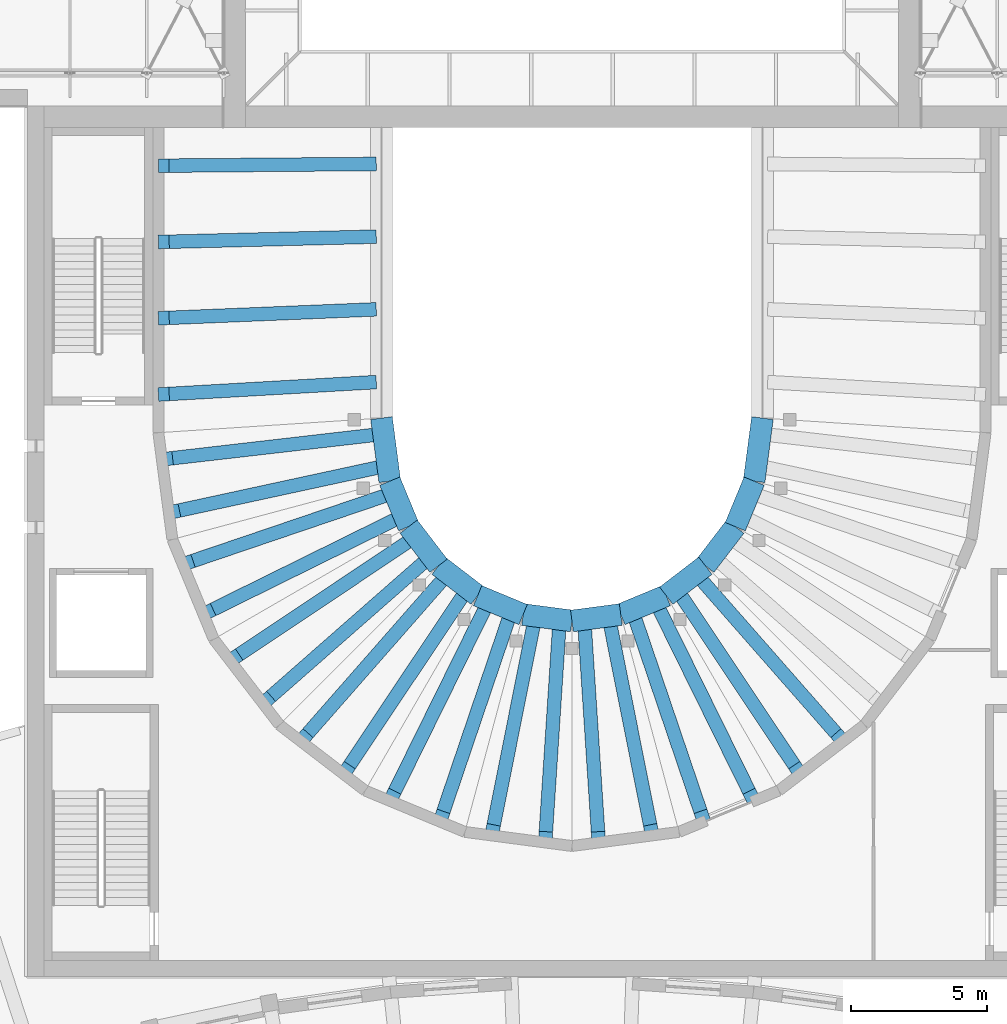
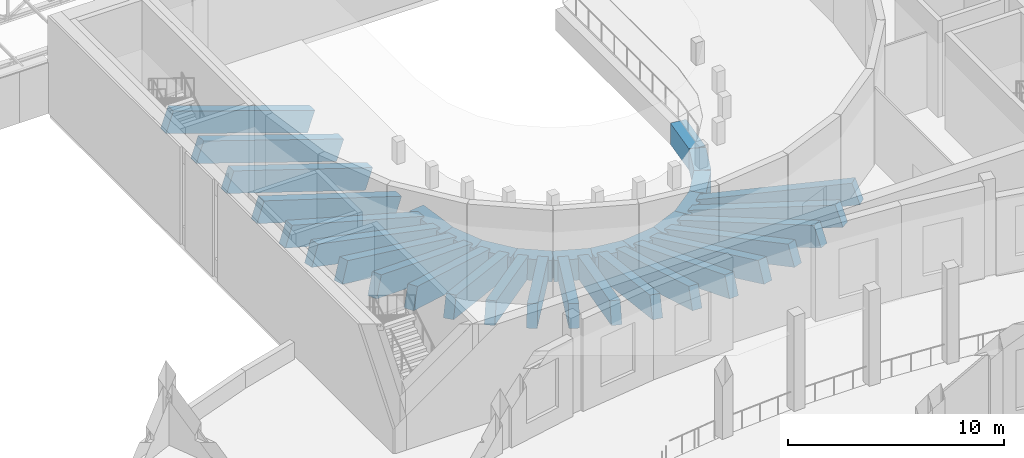
# One storey, part 30 of 132: 34 beams.
"""IFC4 building model written with IfcOpenShell, lengths in metres."""

from ifc_helpers import new_model, si_unit, direction, frame, origin, origin_2d, place, context, subcontext, project, spatial, rectangle, extrude, material, material_profile, profile_set, type_object, element, save


model = new_model("IFC4")

# Units and contexts
model_context = context("Model", 3, precision=1e-05, world=origin(), true_north=direction((0.0, 1.0)))
body_context = subcontext(model_context, "Body", "Model", "MODEL_VIEW")
ifc_project = project(units=[si_unit("LENGTHUNIT", "METRE"), si_unit("AREAUNIT", "SQUARE_METRE"), si_unit("VOLUMEUNIT", "CUBIC_METRE"), si_unit("PLANEANGLEUNIT", "RADIAN"), si_unit("MASSUNIT", "GRAM", prefix="KILO")], contexts=[model_context])

# Site, building, storey
site_placement = place(None, origin())
site = spatial("IfcSite", under=ifc_project, at=site_placement, CompositionType="ELEMENT")
building_placement = place(site_placement, origin())
building = spatial("IfcBuilding", under=site, at=building_placement, Name="Lunette Opera House", CompositionType="ELEMENT")
storey_placement = place(building_placement, frame((0.0, 0.0, 17.0)))
storey = spatial("IfcBuildingStorey", under=building, at=storey_placement, Name="L03", CompositionType="ELEMENT", Elevation=17.0)

# Beams
ifc_material_1 = material(Name="Concrete C35/45", Category="concrete")
ifc_material_profile_1 = material_profile(ifc_material_1, rectangle(XDim=0.5, YDim=1.199951171875, at=origin_2d()), Name="RAKER BEAM 500X1200")
ifc_profile_set_1 = profile_set([ifc_material_profile_1], Name="Concrete C35/45")
beam_type_1 = type_object("IfcBeamType", Name="RAKER BEAM 500X1200", PredefinedType="BEAM", material=ifc_profile_set_1)
beam_1_placement = place(storey_placement, frame((81.0, 93.800048828125, -0.8359375), z_axis=(0.943847905495, 0.007691038722, -0.330290749515), x_axis=(-0.008148329141, 0.999966801815, 0.0)))
element("IfcBeam", 1, at=beam_1_placement, inside=storey, type_object=beam_type_1, Name="beam-AU-L03-RKT2-01-1", PredefinedType="BEAM", context=body_context, shape_type="SweptSolid", body=[
    extrude(rectangle(XDim=0.5, YDim=1.199951171875, at=origin_2d()), origin(), (0.0, 0.0, 1.0), 8.062744140625),
])
beam_2_placement = place(storey_placement, frame((81.0, 91.0, -0.8359375), z_axis=(0.943622019769, 0.023188683942, -0.330211702918), x_axis=(-0.024566706739, 0.999698192916, 0.0)))
element("IfcBeam", 2, at=beam_2_placement, inside=storey, type_object=beam_type_1, Name="beam-AU-L03-RKT2-01-2", PredefinedType="BEAM", context=body_context, shape_type="SweptSolid", body=[
    extrude(rectangle(XDim=0.5, YDim=1.199951171875, at=origin_2d()), origin(), (0.0, 0.0, 1.0), 8.064697265625),
])
beam_3_placement = place(storey_placement, frame((81.0, 88.199951171875, -0.8359375), z_axis=(0.943169850193, 0.038669631021, -0.330053470402), x_axis=(-0.040965230881, 0.99916057261, 0.0)))
element("IfcBeam", 3, at=beam_3_placement, inside=storey, type_object=beam_type_1, Name="beam-AU-L03-RKT2-01-3", PredefinedType="BEAM", context=body_context, shape_type="SweptSolid", body=[
    extrude(rectangle(XDim=0.5, YDim=1.199951171875, at=origin_2d()), origin(), (0.0, 0.0, 1.0), 8.068603515625),
])
beam_4_placement = place(storey_placement, frame((81.0, 85.39990234375, -0.8359375), z_axis=(0.94251204128, 0.053996038676, -0.329780957379), x_axis=(-0.057195711049, 0.99836298541, 0.0)))
element("IfcBeam", 4, at=beam_4_placement, inside=storey, type_object=beam_type_1, Name="beam-AU-L03-RKT2-01-4", PredefinedType="BEAM", context=body_context, shape_type="SweptSolid", body=[
    extrude(rectangle(XDim=0.5, YDim=1.199951171875, at=origin_2d()), origin(), (0.0, 0.0, 1.0), 8.075439453125),
])
beam_5_placement = place(storey_placement, frame((81.1279296875, 83.029052734375, -0.8359375), z_axis=(0.937689203722, 0.107999269928, -0.330265219057), x_axis=(-0.114419560388, 0.993432516178, 0.0)))
element("IfcBeam", 5, at=beam_5_placement, inside=storey, type_object=beam_type_1, Name="beam-AU-L03-RKT2-02-1", PredefinedType="BEAM", context=body_context, shape_type="SweptSolid", body=[
    extrude(rectangle(XDim=0.5, YDim=1.199951171875, at=origin_2d()), origin(), (0.0, 0.0, 1.0), 8.0634765625),
])
beam_6_placement = place(storey_placement, frame((81.383056640625, 81.087890625, -0.8349609375), z_axis=(0.922857266252, 0.199656620103, -0.329350421551), x_axis=(-0.211454118377, 0.977387924942, 0.0)))
element("IfcBeam", 6, at=beam_6_placement, inside=storey, type_object=beam_type_1, Name="beam-AU-L03-RKT2-02-2", PredefinedType="BEAM", context=body_context, shape_type="SweptSolid", body=[
    extrude(rectangle(XDim=0.5, YDim=1.199951171875, at=origin_2d()), origin(), (0.0, 0.0, 1.0), 8.0888671875),
])
beam_7_placement = place(storey_placement, frame((81.885986328125, 79.212890625, -0.8359375), z_axis=(0.894064559344, 0.303289907642, -0.329641920342), x_axis=(-0.321245598019, 0.94699591644, 0.0)))
element("IfcBeam", 7, at=beam_7_placement, inside=storey, type_object=beam_type_1, Name="beam-AU-L03-RKT2-03-1", PredefinedType="BEAM", context=body_context, shape_type="SweptSolid", body=[
    extrude(rectangle(XDim=0.5, YDim=1.199951171875, at=origin_2d()), origin(), (0.0, 0.0, 1.0), 8.07861328125),
])
beam_8_placement = place(storey_placement, frame((82.635009765625, 77.404052734375, -0.8359375), z_axis=(0.846612662052, 0.417852014522, -0.329615980214), x_axis=(-0.442585886382, 0.896726119378, 0.0)))
element("IfcBeam", 8, at=beam_8_placement, inside=storey, type_object=beam_type_1, Name="beam-AU-L03-RKT2-03-2", PredefinedType="BEAM", context=body_context, shape_type="SweptSolid", body=[
    extrude(rectangle(XDim=0.5, YDim=1.199951171875, at=origin_2d()), origin(), (0.0, 0.0, 1.0), 8.079345703125),
])
beam_9_placement = place(storey_placement, frame((83.60595703125, 75.722900390625, -0.8359375), z_axis=(0.785123704492, 0.524332450508, -0.329630474909), x_axis=(-0.555372184888, 0.831601909722, 0.0)))
element("IfcBeam", 9, at=beam_9_placement, inside=storey, type_object=beam_type_1, Name="beam-AU-L03-RKT2-04-1", PredefinedType="BEAM", context=body_context, shape_type="SweptSolid", body=[
    extrude(rectangle(XDim=0.5, YDim=1.199951171875, at=origin_2d()), origin(), (0.0, 0.0, 1.0), 8.0791015625),
])
for number, where, z_axis, x_axis, name in (
    (10, (84.797119140625, 74.169921875, -0.8359375), (0.709671493581, 0.622677359628, -0.329604728433), (-0.659532693191, 0.751675878695, 0.0), "beam-AU-L03-RKT2-04-2"),
    (11, (86.169921875, 72.797119140625, -0.8359375), (0.622677359628, 0.709671493581, -0.329604728433), (-0.751675878695, 0.659532693191, 0.0), "beam-AU-L03-RKT2-05-1"),
):
    element("IfcBeam", number, at=place(storey_placement, frame(where, z_axis=z_axis, x_axis=x_axis)), inside=storey, type_object=beam_type_1, Name=name, PredefinedType="BEAM", context=body_context, shape_type="SweptSolid", body=[
        extrude(rectangle(XDim=0.5, YDim=1.199951171875, at=origin_2d()), origin(), (0.0, 0.0, 1.0), 8.07958984375),
    ])
beam_10_placement = place(storey_placement, frame((87.722900390625, 71.60595703125, -0.8359375), z_axis=(0.524332450508, 0.785123704492, -0.329630474909), x_axis=(-0.831601909722, 0.555372184888, 0.0)))
element("IfcBeam", 12, at=beam_10_placement, inside=storey, type_object=beam_type_1, Name="beam-AU-L03-RKT2-05-2", PredefinedType="BEAM", context=body_context, shape_type="SweptSolid", body=[
    extrude(rectangle(XDim=0.5, YDim=1.199951171875, at=origin_2d()), origin(), (0.0, 0.0, 1.0), 8.0791015625),
])
beam_11_placement = place(storey_placement, frame((89.404052734375, 70.635009765625, -0.8359375), z_axis=(0.417852014522, 0.846612662052, -0.329615980214), x_axis=(-0.896726119378, 0.442585886382, 0.0)))
element("IfcBeam", 13, at=beam_11_placement, inside=storey, type_object=beam_type_1, Name="beam-AU-L03-RKT2-06-1", PredefinedType="BEAM", context=body_context, shape_type="SweptSolid", body=[
    extrude(rectangle(XDim=0.5, YDim=1.199951171875, at=origin_2d()), origin(), (0.0, 0.0, 1.0), 8.079345703125),
])
beam_12_placement = place(storey_placement, frame((91.212890625, 69.885986328125, -0.8359375), z_axis=(0.303289907642, 0.894064559344, -0.329641920342), x_axis=(-0.94699591644, 0.321245598019, 0.0)))
element("IfcBeam", 14, at=beam_12_placement, inside=storey, type_object=beam_type_1, Name="beam-AU-L03-RKT2-06-2", PredefinedType="BEAM", context=body_context, shape_type="SweptSolid", body=[
    extrude(rectangle(XDim=0.5, YDim=1.199951171875, at=origin_2d()), origin(), (0.0, 0.0, 1.0), 8.07861328125),
])
beam_13_placement = place(storey_placement, frame((93.087890625, 69.383056640625, -0.8359375), z_axis=(0.18441826912, 0.925928986132, -0.329614038924), x_axis=(-0.98073670253, 0.19533438077, 0.0)))
element("IfcBeam", 15, at=beam_13_placement, inside=storey, type_object=beam_type_1, Name="beam-AU-L03-RKT2-07-1", PredefinedType="BEAM", context=body_context, shape_type="SweptSolid", body=[
    extrude(rectangle(XDim=0.5, YDim=1.199951171875, at=origin_2d()), origin(), (0.0, 0.0, 1.0), 8.079345703125),
])
for number, where, z_axis, x_axis, name in (
    (16, (95.029052734375, 69.1279296875, -0.8359375), (0.061497307518, 0.942102487403, -0.329637656218), (-0.997876263164, 0.065138033538, 0.0), "beam-AU-L03-RKT2-07-2"),
    (17, (96.970947265625, 69.1279296875, -0.8359375), (-0.061497307518, 0.942102487403, -0.329637656218), (-0.997876263164, -0.065138033538, 0.0), "beam-AU-L03-RKT2-08-1"),
):
    element("IfcBeam", number, at=place(storey_placement, frame(where, z_axis=z_axis, x_axis=x_axis)), inside=storey, type_object=beam_type_1, Name=name, PredefinedType="BEAM", context=body_context, shape_type="SweptSolid", body=[
        extrude(rectangle(XDim=0.5, YDim=1.199951171875, at=origin_2d()), origin(), (0.0, 0.0, 1.0), 8.078857421875),
    ])
beam_14_placement = place(storey_placement, frame((98.912109375, 69.383056640625, -0.8359375), z_axis=(-0.18441826912, 0.925928986132, -0.329614038924), x_axis=(-0.98073670253, -0.19533438077, 0.0)))
element("IfcBeam", 18, at=beam_14_placement, inside=storey, type_object=beam_type_1, Name="beam-AU-L03-RKT2-08-2", PredefinedType="BEAM", context=body_context, shape_type="SweptSolid", body=[
    extrude(rectangle(XDim=0.5, YDim=1.199951171875, at=origin_2d()), origin(), (0.0, 0.0, 1.0), 8.079345703125),
])
beam_15_placement = place(storey_placement, frame((100.787109375, 69.885986328125, -0.8359375), z_axis=(-0.303289907642, 0.894064559344, -0.329641920342), x_axis=(-0.94699591644, -0.321245598019, 0.0)))
element("IfcBeam", 19, at=beam_15_placement, inside=storey, type_object=beam_type_1, Name="beam-AU-L03-RKT2-09-1", PredefinedType="BEAM", context=body_context, shape_type="SweptSolid", body=[
    extrude(rectangle(XDim=0.5, YDim=1.199951171875, at=origin_2d()), origin(), (0.0, 0.0, 1.0), 8.07861328125),
])
beam_16_placement = place(storey_placement, frame((102.595947265625, 70.635009765625, -0.8359375), z_axis=(-0.417852014522, 0.846612662052, -0.329615980214), x_axis=(-0.896726119378, -0.442585886382, 0.0)))
element("IfcBeam", 20, at=beam_16_placement, inside=storey, type_object=beam_type_1, Name="beam-AU-L03-RKT2-09-2", PredefinedType="BEAM", context=body_context, shape_type="SweptSolid", body=[
    extrude(rectangle(XDim=0.5, YDim=1.199951171875, at=origin_2d()), origin(), (0.0, 0.0, 1.0), 8.079345703125),
])
beam_17_placement = place(storey_placement, frame((104.277099609375, 71.60595703125, -0.8359375), z_axis=(-0.524332450508, 0.785123704492, -0.329630474909), x_axis=(-0.831601909722, -0.555372184888, 0.0)))
element("IfcBeam", 21, at=beam_17_placement, inside=storey, type_object=beam_type_1, Name="beam-AU-L03-RKT2-10-1", PredefinedType="BEAM", context=body_context, shape_type="SweptSolid", body=[
    extrude(rectangle(XDim=0.5, YDim=1.199951171875, at=origin_2d()), origin(), (0.0, 0.0, 1.0), 8.0791015625),
])
beam_18_placement = place(storey_placement, frame((105.830078125, 72.797119140625, -0.8359375), z_axis=(-0.622677359628, 0.709671493581, -0.329604728433), x_axis=(-0.751675878695, -0.659532693191, 0.0)))
element("IfcBeam", 22, at=beam_18_placement, inside=storey, type_object=beam_type_1, Name="beam-AU-L03-RKT2-10-2", PredefinedType="BEAM", context=body_context, shape_type="SweptSolid", body=[
    extrude(rectangle(XDim=0.5, YDim=1.199951171875, at=origin_2d()), origin(), (0.0, 0.0, 1.0), 8.07958984375),
])
ifc_material_2 = material(Name="Concrete C40/50", Category="concrete")
ifc_material_profile_2 = material_profile(ifc_material_2, rectangle(XDim=0.800048828125, YDim=1.199951171875, at=origin_2d()), Name="TIER GIRDER 800X1200")
ifc_profile_set_2 = profile_set([ifc_material_profile_2], Name="Concrete C40/50")
beam_type_2 = type_object("IfcBeamType", Name="TIER GIRDER 800X1200", PredefinedType="BEAM", material=ifc_profile_set_2)
beam_19_placement = place(storey_placement, frame((89.0, 84.52392578125, -3.60009765625), z_axis=(0.130432901459, -0.99145713887, 0.0), x_axis=(0.99145713887, 0.130432901459, 0.0)))
element("IfcBeam", 23, at=beam_19_placement, inside=storey, type_object=beam_type_2, Name="beam-AU-L03-TGL03-2", PredefinedType="BEAM", context=body_context, shape_type="SweptSolid", body=[
    extrude(rectangle(XDim=0.800048828125, YDim=1.199951171875, at=origin_2d()), origin(), (0.0, 0.0, 1.0), 2.337890625),
])
beam_20_placement = place(storey_placement, frame((89.304931640625, 82.2060546875, -3.60009765625), z_axis=(0.383110510067, -0.923702515465, 0.0), x_axis=(0.923702515465, 0.383110510067, 0.0)))
element("IfcBeam", 24, at=beam_20_placement, inside=storey, type_object=beam_type_2, Name="beam-AU-L03-TGL03-3", PredefinedType="BEAM", context=body_context, shape_type="SweptSolid", body=[
    extrude(rectangle(XDim=0.800048828125, YDim=1.199951171875, at=origin_2d()), origin(), (0.0, 0.0, 1.0), 1.80908203125),
])
for number, where, z_axis, x_axis, name in (
    (25, (89.998046875, 80.534912109375, -3.60009765625), (0.608536347871, -0.793526000406, 0.0), (0.793526000406, 0.608536347871, 0.0), "beam-AU-L03-TGL03-4"),
    (26, (91.09912109375, 79.09912109375, -3.60009765625), (0.793526000406, -0.608536347871, 0.0), (0.608536347871, 0.793526000406, 0.0), "beam-AU-L03-TGL03-5"),
):
    element("IfcBeam", number, at=place(storey_placement, frame(where, z_axis=z_axis, x_axis=x_axis)), inside=storey, type_object=beam_type_2, Name=name, PredefinedType="BEAM", context=body_context, shape_type="SweptSolid", body=[
        extrude(rectangle(XDim=0.800048828125, YDim=1.199951171875, at=origin_2d()), origin(), (0.0, 0.0, 1.0), 1.809326171875),
    ])
beam_21_placement = place(storey_placement, frame((92.534912109375, 77.998046875, -3.60009765625), z_axis=(0.923702515465, -0.383110510067, 0.0), x_axis=(0.383110510067, 0.923702515465, 0.0)))
element("IfcBeam", 27, at=beam_21_placement, inside=storey, type_object=beam_type_2, Name="beam-AU-L03-TGL03-6", PredefinedType="BEAM", context=body_context, shape_type="SweptSolid", body=[
    extrude(rectangle(XDim=0.800048828125, YDim=1.199951171875, at=origin_2d()), origin(), (0.0, 0.0, 1.0), 1.80908203125),
])
for number, where, z_axis, x_axis, name in (
    (28, (94.2060546875, 77.304931640625, -3.60009765625), (0.991468985557, -0.130342819821, 0.0), (0.130342819821, 0.991468985557, 0.0), "beam-AU-L03-TGL03-7"),
    (29, (96.0, 77.069091796875, -3.60009765625), (0.991468985557, 0.130342819821, 0.0), (-0.130342819821, 0.991468985557, 0.0), "beam-AU-L03-TGL03-8"),
):
    element("IfcBeam", number, at=place(storey_placement, frame(where, z_axis=z_axis, x_axis=x_axis)), inside=storey, type_object=beam_type_2, Name=name, PredefinedType="BEAM", context=body_context, shape_type="SweptSolid", body=[
        extrude(rectangle(XDim=0.800048828125, YDim=1.199951171875, at=origin_2d()), origin(), (0.0, 0.0, 1.0), 1.809326171875),
    ])
beam_22_placement = place(storey_placement, frame((97.7939453125, 77.304931640625, -3.60009765625), z_axis=(0.923702515465, 0.383110510067, 0.0), x_axis=(-0.383110510067, 0.923702515465, 0.0)))
element("IfcBeam", 30, at=beam_22_placement, inside=storey, type_object=beam_type_2, Name="beam-AU-L03-TGL03-9", PredefinedType="BEAM", context=body_context, shape_type="SweptSolid", body=[
    extrude(rectangle(XDim=0.800048828125, YDim=1.199951171875, at=origin_2d()), origin(), (0.0, 0.0, 1.0), 1.80908203125),
])
for number, where, z_axis, x_axis, name in (
    (31, (99.465087890625, 77.998046875, -3.60009765625), (0.793526000406, 0.608536347871, 0.0), (-0.608536347871, 0.793526000406, 0.0), "beam-AU-L03-TGL03-10"),
    (32, (100.90087890625, 79.09912109375, -3.60009765625), (0.608536347871, 0.793526000406, 0.0), (-0.793526000406, 0.608536347871, 0.0), "beam-AU-L03-TGL03-11"),
):
    element("IfcBeam", number, at=place(storey_placement, frame(where, z_axis=z_axis, x_axis=x_axis)), inside=storey, type_object=beam_type_2, Name=name, PredefinedType="BEAM", context=body_context, shape_type="SweptSolid", body=[
        extrude(rectangle(XDim=0.800048828125, YDim=1.199951171875, at=origin_2d()), origin(), (0.0, 0.0, 1.0), 1.809326171875),
    ])
beam_23_placement = place(storey_placement, frame((102.001953125, 80.534912109375, -3.60009765625), z_axis=(0.383110510067, 0.923702515465, 0.0), x_axis=(-0.923702515465, 0.383110510067, 0.0)))
element("IfcBeam", 33, at=beam_23_placement, inside=storey, type_object=beam_type_2, Name="beam-AU-L03-TGL03-12", PredefinedType="BEAM", context=body_context, shape_type="SweptSolid", body=[
    extrude(rectangle(XDim=0.800048828125, YDim=1.199951171875, at=origin_2d()), origin(), (0.0, 0.0, 1.0), 1.80908203125),
])
beam_24_placement = place(storey_placement, frame((102.695068359375, 82.2060546875, -3.60009765625), z_axis=(0.130432901459, 0.99145713887, 0.0), x_axis=(-0.99145713887, 0.130432901459, 0.0)))
element("IfcBeam", 34, at=beam_24_placement, inside=storey, type_object=beam_type_2, Name="beam-AU-L03-TGL03-13", PredefinedType="BEAM", context=body_context, shape_type="SweptSolid", body=[
    extrude(rectangle(XDim=0.800048828125, YDim=1.199951171875, at=origin_2d()), origin(), (0.0, 0.0, 1.0), 2.337890625),
])

save(model, "model.ifc")
